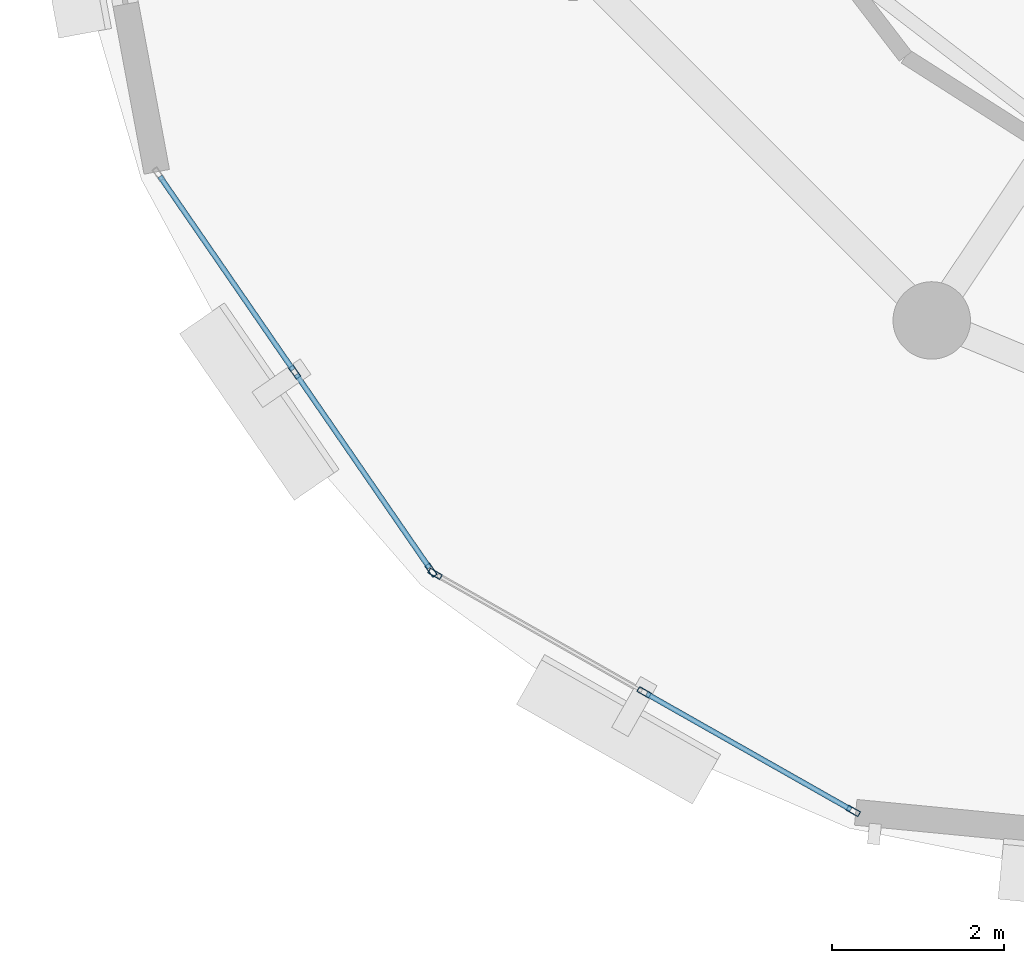
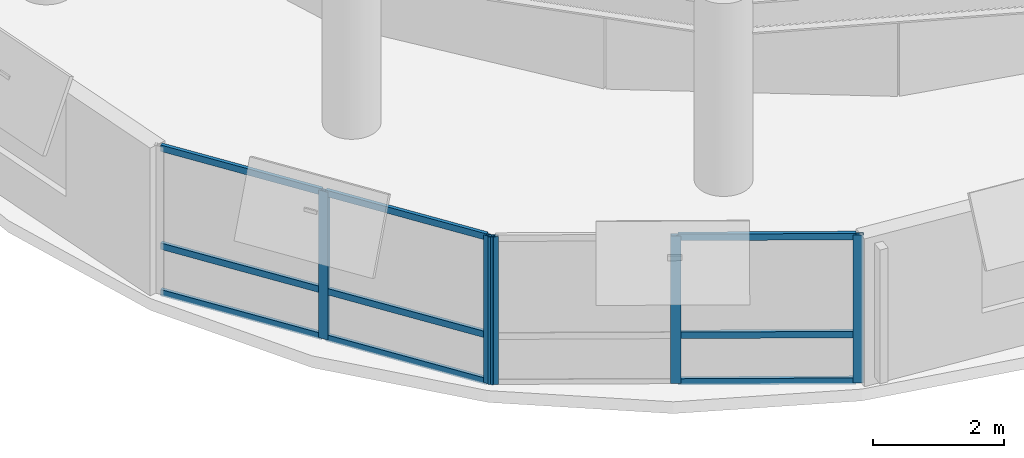
# One storey, part 2 of 12: 14 members, 2 elements without a shape of their own.
"""IFC4 building model written with IfcOpenShell, lengths in metres."""

from ifc_helpers import new_model, si_unit, direction, frame, origin, origin_2d, place, context, subcontext, project, spatial, hollow_rectangle, extrude, material, layer, layer_set, material_profile, profile_set, type_object, element, aggregate, save


model = new_model("IFC4")

# Units and contexts
model_context = context("Model", 3, precision=1e-05, world=origin(), true_north=direction((0.0, 1.0)))
body_context = subcontext(model_context, "Body", "Model", "MODEL_VIEW")
ifc_project = project(units=[si_unit("LENGTHUNIT", "METRE"), si_unit("AREAUNIT", "SQUARE_METRE"), si_unit("VOLUMEUNIT", "CUBIC_METRE"), si_unit("PLANEANGLEUNIT", "RADIAN"), si_unit("MASSUNIT", "GRAM", prefix="KILO"), si_unit("THERMODYNAMICTEMPERATUREUNIT", "KELVIN"), si_unit("POWERUNIT", "WATT")], contexts=[model_context])

# Site, building, storey
site_placement = place(None, origin())
site = spatial("IfcSite", under=ifc_project, at=site_placement, CompositionType="ELEMENT")
building_placement = place(site_placement, origin())
building = spatial("IfcBuilding", under=site, at=building_placement, Name="Ocrelia Relay Tower", CompositionType="ELEMENT")
storey_placement = place(building_placement, frame((0.0, 0.0, 230.39990234375)))
storey = spatial("IfcBuildingStorey", under=building, at=storey_placement, Name="L56", CompositionType="ELEMENT", Elevation=230.39990234375)

# Curtain wall, members
ifc_material_1 = material(Name="Aluminium and solar-control low-E glass", Category="aluminium")
ifc_layer = layer(ifc_material_1, 0.179931640625, Name="Aluminium and solar-control low-E glass")
ifc_layer_set = layer_set([ifc_layer], Name="Aluminium and solar-control low-E glass")
curtain_wall_type = type_object("IfcCurtainWallType", Name="CW-SYS-Z4-EXEC", PredefinedType="NOTDEFINED", material=ifc_layer_set)
curtain_wall_1_placement = place(storey_placement, origin())
curtain_wall_1 = element("IfcCurtainWall", 1, at=curtain_wall_1_placement, inside=storey, type_object=curtain_wall_type, Name="L56 Elliptical Tower Curtain Wall Bay 09", PredefinedType="NOTDEFINED")
ifc_material_2 = material(Name="Anodised bronze aluminium", Category="aluminium")
ifc_material_profile_1 = material_profile(ifc_material_2, hollow_rectangle(XDim=0.06494140625, YDim=0.159912109375, WallThickness=0.0048828125, at=origin_2d()), Name="CW-MUL-160x65")
ifc_profile_set_1 = profile_set([ifc_material_profile_1], Name="Anodised bronze aluminium")
member_type_1 = type_object("IfcMemberType", Name="CW-SYS-Z4-EXEC-MUL", PredefinedType="MULLION", material=ifc_profile_set_1)
member_1_placement = place(storey_placement, frame((18.21044921875, 12.84423828125, 0.0), z_axis=(0.0, 0.0, 1.0), x_axis=(0.823658054438, 0.567086774101, 0.0)))
member_1 = element("IfcMember", 2, at=member_1_placement, type_object=member_type_1, Name="CW-Z4 mullion 2", PredefinedType="MULLION", context=body_context, shape_type="SweptSolid", body=[
    extrude(hollow_rectangle(XDim=0.06494140625, YDim=0.159912109375, WallThickness=0.0048828125, at=origin_2d()), origin(), (0.0, 0.0, 1.0), 2.760009765625),
])
member_2_placement = place(storey_placement, frame((19.794189453125, 10.5439453125, 0.0), z_axis=(0.0, 0.0, 1.0), x_axis=(0.823658054438, 0.567086774101, 0.0)))
member_2 = element("IfcMember", 3, at=member_2_placement, type_object=member_type_1, Name="CW-Z4 mullion 3", PredefinedType="MULLION", context=body_context, shape_type="SweptSolid", body=[
    extrude(hollow_rectangle(XDim=0.06494140625, YDim=0.159912109375, WallThickness=0.0048828125, at=origin_2d()), origin(), (0.0, 0.0, 1.0), 2.760009765625),
])

curtain_wall_2_placement = place(storey_placement, origin())
curtain_wall_2 = element("IfcCurtainWall", 4, at=curtain_wall_2_placement, inside=storey, type_object=curtain_wall_type, Name="L56 Elliptical Tower Curtain Wall Bay 10", PredefinedType="NOTDEFINED")
member_3_placement = place(storey_placement, frame((19.8408203125, 10.501220703125, 0.0), z_axis=(0.0, 0.0, 1.0), x_axis=(0.493147424972, 0.869945755345, 0.0)))
member_3 = element("IfcMember", 5, at=member_3_placement, type_object=member_type_1, Name="CW-Z4 mullion 1", PredefinedType="MULLION", context=body_context, shape_type="SweptSolid", body=[
    extrude(hollow_rectangle(XDim=0.06494140625, YDim=0.159912109375, WallThickness=0.0048828125, at=origin_2d()), origin(), (0.0, 0.0, 1.0), 2.760009765625),
])
member_4_placement = place(storey_placement, frame((22.270263671875, 9.1240234375, 0.0), z_axis=(0.0, 0.0, 1.0), x_axis=(0.493147424972, 0.869945755345, 0.0)))
member_4 = element("IfcMember", 6, at=member_4_placement, type_object=member_type_1, Name="CW-Z4 mullion 2", PredefinedType="MULLION", context=body_context, shape_type="SweptSolid", body=[
    extrude(hollow_rectangle(XDim=0.06494140625, YDim=0.159912109375, WallThickness=0.0048828125, at=origin_2d()), origin(), (0.0, 0.0, 1.0), 2.760009765625),
])
member_5_placement = place(storey_placement, frame((24.69970703125, 7.746826171875, 0.0), z_axis=(0.0, 0.0, 1.0), x_axis=(0.493147424972, 0.869945755345, 0.0)))
member_5 = element("IfcMember", 7, at=member_5_placement, type_object=member_type_1, Name="CW-Z4 mullion 3", PredefinedType="MULLION", context=body_context, shape_type="SweptSolid", body=[
    extrude(hollow_rectangle(XDim=0.06494140625, YDim=0.159912109375, WallThickness=0.0048828125, at=origin_2d()), origin(), (0.0, 0.0, 1.0), 2.760009765625),
])

# Member
ifc_material_profile_2 = material_profile(ifc_material_2, hollow_rectangle(XDim=0.06005859375, YDim=0.1201171875, WallThickness=0.0048828125, at=origin_2d()), Name="CW-TRN-120x60")
ifc_profile_set_2 = profile_set([ifc_material_profile_2], Name="Anodised bronze aluminium")
member_type_2 = type_object("IfcMemberType", Name="CW-SYS-Z4-EXEC-TRN", PredefinedType="USERDEFINED", material=ifc_profile_set_2)
member_6_placement = place(storey_placement, frame((16.645263671875, 15.11767578125, 0.030029296875), z_axis=(0.567071872104, -0.823668314231, 0.0), x_axis=(0.823668314231, 0.567071872104, 0.0)))
member_6 = element("IfcMember", 8, at=member_6_placement, type_object=member_type_2, Name="CW-Z4 transom 1.1", ObjectType="TRANSOM", PredefinedType="USERDEFINED", context=body_context, shape_type="SweptSolid", body=[
    extrude(hollow_rectangle(XDim=0.06005859375, YDim=0.1201171875, WallThickness=0.0048828125, at=origin_2d()), origin(), (0.0, 0.0, 1.0), 2.727783203125),
])

member_7_placement = place(storey_placement, frame((16.645263671875, 15.11767578125, 0.900146484375), z_axis=(0.567071872104, -0.823668314231, 0.0), x_axis=(0.823668314231, 0.567071872104, 0.0)))
member_7 = element("IfcMember", 9, at=member_7_placement, type_object=member_type_2, Name="CW-Z4 transom 1.2", ObjectType="TRANSOM", PredefinedType="USERDEFINED", context=body_context, shape_type="SweptSolid", body=[
    extrude(hollow_rectangle(XDim=0.06005859375, YDim=0.1201171875, WallThickness=0.0048828125, at=origin_2d()), origin(), (0.0, 0.0, 1.0), 2.727783203125),
])

member_8_placement = place(storey_placement, frame((16.645263671875, 15.11767578125, 2.72998046875), z_axis=(0.567071872104, -0.823668314231, 0.0), x_axis=(0.823668314231, 0.567071872104, 0.0)))
member_8 = element("IfcMember", 10, at=member_8_placement, type_object=member_type_2, Name="CW-Z4 transom 1.3", ObjectType="TRANSOM", PredefinedType="USERDEFINED", context=body_context, shape_type="SweptSolid", body=[
    extrude(hollow_rectangle(XDim=0.06005859375, YDim=0.1201171875, WallThickness=0.0048828125, at=origin_2d()), origin(), (0.0, 0.0, 1.0), 2.727783203125),
])

member_9_placement = place(storey_placement, frame((18.22900390625, 12.8173828125, 0.030029296875), z_axis=(0.567052953746, -0.823681338654, 0.0), x_axis=(0.823681338654, 0.567052953746, 0.0)))
member_9 = element("IfcMember", 11, at=member_9_placement, type_object=member_type_2, Name="CW-Z4 transom 2.1", ObjectType="TRANSOM", PredefinedType="USERDEFINED", context=body_context, shape_type="SweptSolid", body=[
    extrude(hollow_rectangle(XDim=0.06005859375, YDim=0.1201171875, WallThickness=0.0048828125, at=origin_2d()), origin(), (0.0, 0.0, 1.0), 2.7275390625),
])

member_10_placement = place(storey_placement, frame((18.22900390625, 12.8173828125, 0.900146484375), z_axis=(0.567052953746, -0.823681338654, 0.0), x_axis=(0.823681338654, 0.567052953746, 0.0)))
member_10 = element("IfcMember", 12, at=member_10_placement, type_object=member_type_2, Name="CW-Z4 transom 2.2", ObjectType="TRANSOM", PredefinedType="USERDEFINED", context=body_context, shape_type="SweptSolid", body=[
    extrude(hollow_rectangle(XDim=0.06005859375, YDim=0.1201171875, WallThickness=0.0048828125, at=origin_2d()), origin(), (0.0, 0.0, 1.0), 2.7275390625),
])

member_11_placement = place(storey_placement, frame((18.22900390625, 12.8173828125, 2.72998046875), z_axis=(0.567052953746, -0.823681338654, 0.0), x_axis=(0.823681338654, 0.567052953746, 0.0)))
member_11 = element("IfcMember", 13, at=member_11_placement, type_object=member_type_2, Name="CW-Z4 transom 2.3", ObjectType="TRANSOM", PredefinedType="USERDEFINED", context=body_context, shape_type="SweptSolid", body=[
    extrude(hollow_rectangle(XDim=0.06005859375, YDim=0.1201171875, WallThickness=0.0048828125, at=origin_2d()), origin(), (0.0, 0.0, 1.0), 2.7275390625),
])

aggregate(curtain_wall_1, [member_1, member_2, member_6, member_7, member_8, member_9, member_10, member_11])

member_12_placement = place(storey_placement, frame((22.298583984375, 9.10791015625, 0.030029296875), z_axis=(0.869962028264, -0.493118717328, 0.0), x_axis=(0.493118717328, 0.869962028264, 0.0)))
member_12 = element("IfcMember", 14, at=member_12_placement, type_object=member_type_2, Name="CW-Z4 transom 2.1", ObjectType="TRANSOM", PredefinedType="USERDEFINED", context=body_context, shape_type="SweptSolid", body=[
    extrude(hollow_rectangle(XDim=0.06005859375, YDim=0.1201171875, WallThickness=0.0048828125, at=origin_2d()), origin(), (0.0, 0.0, 1.0), 2.7275390625),
])

member_13_placement = place(storey_placement, frame((22.298583984375, 9.10791015625, 0.900146484375), z_axis=(0.869962028264, -0.493118717328, 0.0), x_axis=(0.493118717328, 0.869962028264, 0.0)))
member_13 = element("IfcMember", 15, at=member_13_placement, type_object=member_type_2, Name="CW-Z4 transom 2.2", ObjectType="TRANSOM", PredefinedType="USERDEFINED", context=body_context, shape_type="SweptSolid", body=[
    extrude(hollow_rectangle(XDim=0.06005859375, YDim=0.1201171875, WallThickness=0.0048828125, at=origin_2d()), origin(), (0.0, 0.0, 1.0), 2.7275390625),
])

member_14_placement = place(storey_placement, frame((22.298583984375, 9.10791015625, 2.72998046875), z_axis=(0.869962028264, -0.493118717328, 0.0), x_axis=(0.493118717328, 0.869962028264, 0.0)))
member_14 = element("IfcMember", 16, at=member_14_placement, type_object=member_type_2, Name="CW-Z4 transom 2.3", ObjectType="TRANSOM", PredefinedType="USERDEFINED", context=body_context, shape_type="SweptSolid", body=[
    extrude(hollow_rectangle(XDim=0.06005859375, YDim=0.1201171875, WallThickness=0.0048828125, at=origin_2d()), origin(), (0.0, 0.0, 1.0), 2.7275390625),
])

aggregate(curtain_wall_2, [member_3, member_4, member_5, member_12, member_13, member_14])

save(model, "model.ifc")
